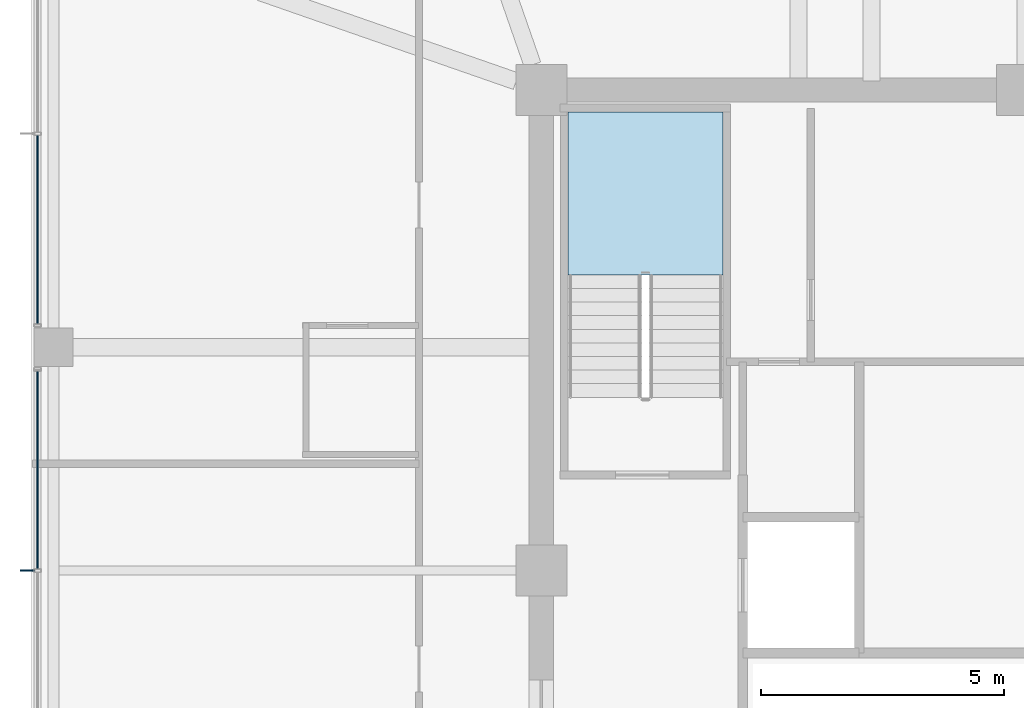
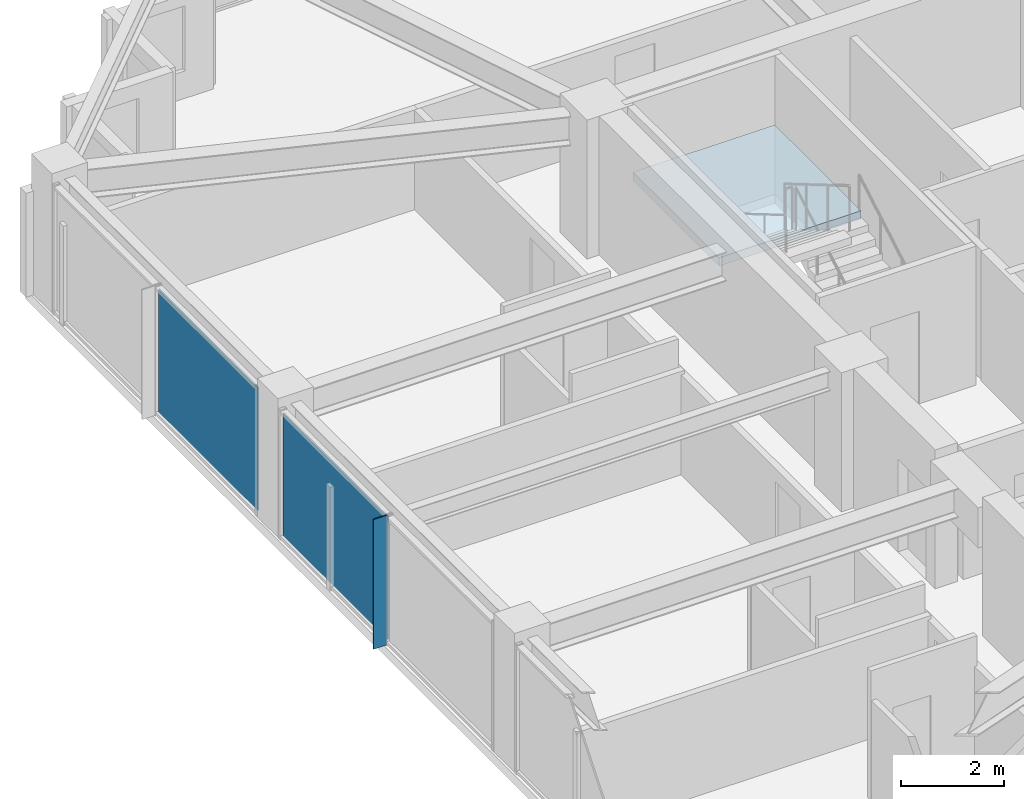
# One storey, part 25 of 36: 3 plates, 1 slab, 3 elements without a shape of their own.
"""IFC4 building model written with IfcOpenShell, lengths in metres."""

from ifc_helpers import new_model, si_unit, direction, frame, origin, origin_2d, place, context, subcontext, project, spatial, polyline, rectangle, outline, extrude, material, layer, layer_set, type_object, element, aggregate, save


model = new_model("IFC4")

# Units and contexts
model_context = context("Model", 3, precision=1e-05, world=origin(), true_north=direction((0.0, 1.0)))
body_context = subcontext(model_context, "Body", "Model", "MODEL_VIEW")
ifc_project = project(units=[si_unit("LENGTHUNIT", "METRE"), si_unit("AREAUNIT", "SQUARE_METRE"), si_unit("VOLUMEUNIT", "CUBIC_METRE"), si_unit("PLANEANGLEUNIT", "RADIAN"), si_unit("MASSUNIT", "GRAM", prefix="KILO")], contexts=[model_context])

# Site, building, storey
site_placement = place(None, origin())
site = spatial("IfcSite", under=ifc_project, at=site_placement, CompositionType="ELEMENT")
building_placement = place(site_placement, origin())
building = spatial("IfcBuilding", under=site, at=building_placement, Name="Kolvaren Belvedere", CompositionType="ELEMENT")
storey_placement = place(building_placement, frame((0.0, 0.0, 193.199951171875)))
storey = spatial("IfcBuildingStorey", under=building, at=storey_placement, Name="L56", CompositionType="ELEMENT", Elevation=193.199951171875)

# Curtain wall, plate
ifc_material_1 = material(Name="Anodised pale-metal aluminium AA 6063-T6", Category="aluminium")
curtain_wall_type = type_object("IfcCurtainWallType", Name="CW-Z5-HIGH", PredefinedType="NOTDEFINED", material=ifc_material_1)
curtain_wall_1_placement = place(storey_placement, origin())
curtain_wall_1 = element("IfcCurtainWall", 1, at=curtain_wall_1_placement, inside=storey, type_object=curtain_wall_type, Name="L56 Unitised Curtain Wall FCW-L56-W-B2", PredefinedType="NOTDEFINED")
ifc_material_2 = material(Name="Low-iron triple insulated glass", Category="glass")
ifc_layer_1 = layer(ifc_material_2, 0.028076171875)
ifc_layer_set_1 = layer_set([ifc_layer_1], Name="Low-iron triple insulated glass")
plate_type_1 = type_object("IfcPlateType", Name="CW-PNL-VIS28", PredefinedType="CURTAIN_PANEL", material=ifc_layer_set_1)
plate_1_placement = place(storey_placement, frame((-20.280029296875, 2.072509765625, 0.080078125), z_axis=(0.0, 0.0, 1.0), x_axis=(0.0, 1.0, 0.0)))
plate_1 = element("IfcPlate", 2, at=plate_1_placement, type_object=plate_type_1, Name="FCW-L56-W-B2 Vision Glazing Panel 2", PredefinedType="CURTAIN_PANEL", context=body_context, shape_type="SweptSolid", body=[
    extrude(rectangle(XDim=4.06494140625, YDim=0.028076171875, at=origin_2d()), origin(), (0.0, 0.0, 1.0), 2.919921875),
])
aggregate(curtain_wall_1, [plate_1])

curtain_wall_2_placement = place(storey_placement, origin())
curtain_wall_2 = element("IfcCurtainWall", 3, at=curtain_wall_2_placement, inside=storey, type_object=curtain_wall_type, Name="L56 Unitised Curtain Wall FCW-L56-W-B3", PredefinedType="NOTDEFINED")
plate_2_placement = place(storey_placement, frame((-20.280029296875, 7.027587890625, 0.080078125), z_axis=(0.0, 0.0, 1.0), x_axis=(0.0, 1.0, 0.0)))
plate_2 = element("IfcPlate", 4, at=plate_2_placement, type_object=plate_type_1, Name="FCW-L56-W-B3 Vision Glazing Panel 1", PredefinedType="CURTAIN_PANEL", context=body_context, shape_type="SweptSolid", body=[
    extrude(rectangle(XDim=3.864990234375, YDim=0.028076171875, at=origin_2d()), origin(), (0.0, 0.0, 1.0), 2.919921875),
])
aggregate(curtain_wall_2, [plate_2])

# Plate
ifc_material_3 = material(Name="Anodised pale-metal aluminium AA 6063-T6", Category="aluminium")
ifc_layer_2 = layer(ifc_material_3, 0.030029296875)
ifc_layer_set_2 = layer_set([ifc_layer_2], Name="Anodised pale-metal aluminium AA 6063-T6")
plate_type_2 = type_object("IfcPlateType", Name="FIN-VERT-300", PredefinedType="USERDEFINED", material=ifc_layer_set_2)
plate_3_placement = place(storey_placement, frame((-20.489990234375, 0.0, 0.0), z_axis=(0.0, 0.0, 1.0), x_axis=(1.0, 0.0, 0.0)))
element("IfcPlate", 5, at=plate_3_placement, inside=storey, type_object=plate_type_2, Name="L56 Pale-Metal Vertical Shading Fin FCW-L56-W-B2-1", ObjectType="VERTICAL FIN", PredefinedType="USERDEFINED", context=body_context, shape_type="SweptSolid", body=[
    extrude(rectangle(XDim=0.300048828125, YDim=0.030029296875, at=origin_2d()), origin(), (0.0, 0.0, 1.0), 3.080078125),
])

# Stair, slab
ifc_material_4 = material(Name="Concrete C50/60", Category="concrete")
stair_type = type_object("IfcStairType", Name="ST-CORE-1520", PredefinedType="HALF_TURN_STAIR", material=ifc_material_4)
stair_placement = place(storey_placement, origin())
stair = element("IfcStair", 6, at=stair_placement, inside=storey, type_object=stair_type, Name="L56 Protected Exit Stair ST-1", PredefinedType="HALF_TURN_STAIR")
ifc_material_5 = material(Name="Concrete C50/60", Category="concrete")
ifc_layer_3 = layer(ifc_material_5, 0.260009765625)
ifc_layer_set_3 = layer_set([ifc_layer_3], Name="Concrete C50/60")
slab_type = type_object("IfcSlabType", Name="SL-LAND-260", PredefinedType="LANDING", material=ifc_layer_set_3)
slab_placement = place(storey_placement, frame((0.0, 0.0, 1.449951171875)))
slab = element("IfcSlab", 7, at=slab_placement, type_object=slab_type, Name="ST-1 landing 1", PredefinedType="LANDING", context=body_context, shape_type="SweptSolid", body=[
    extrude(outline(polyline([(-6.159912109375, 6.090087890625), (-6.159912109375, 9.449951171875), (-9.35009765625, 9.449951171875), (-9.35009765625, 6.090087890625), (-6.159912109375, 6.090087890625)])), origin(), (0.0, 0.0, 1.0), 0.2001953125),
])
aggregate(stair, [slab])

save(model, "model.ifc")
